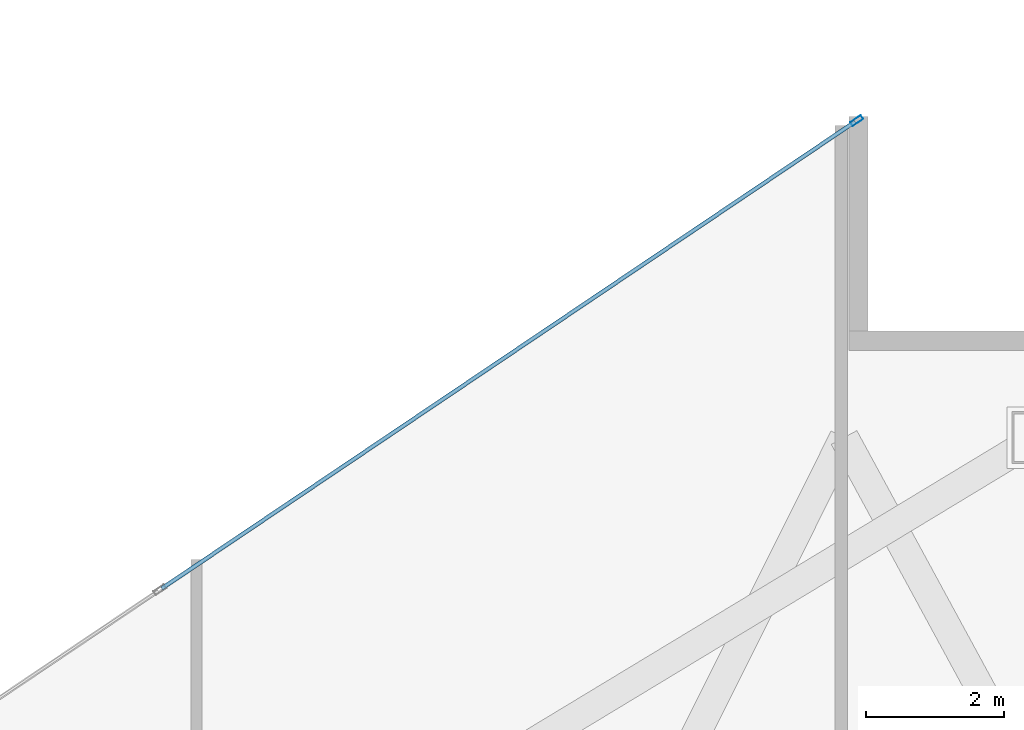
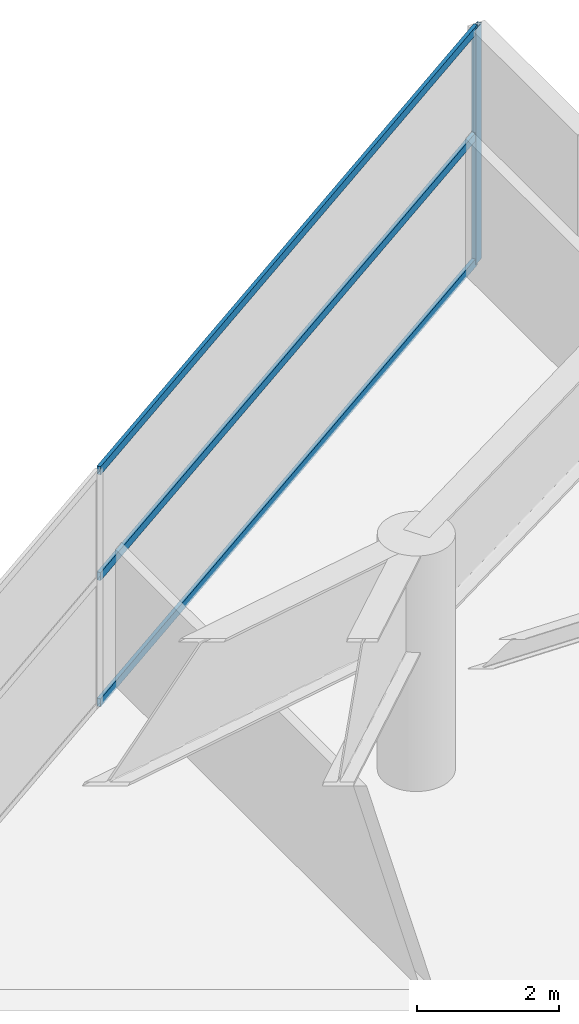
# One storey, part 22 of 30: 4 members, 1 element without a shape of its own.
"""IFC4 building model written with IfcOpenShell, lengths in metres."""

from ifc_helpers import new_model, si_unit, direction, frame, origin, origin_2d, place, context, subcontext, project, spatial, hollow_rectangle, extrude, material, layer, layer_set, material_profile, profile_set, type_object, element, aggregate, save


model = new_model("IFC4")

# Units and contexts
model_context = context("Model", 3, precision=1e-05, world=origin(), true_north=direction((0.0, 1.0)))
body_context = subcontext(model_context, "Body", "Model", "MODEL_VIEW")
ifc_project = project(units=[si_unit("LENGTHUNIT", "METRE"), si_unit("AREAUNIT", "SQUARE_METRE"), si_unit("VOLUMEUNIT", "CUBIC_METRE"), si_unit("PLANEANGLEUNIT", "RADIAN"), si_unit("MASSUNIT", "GRAM", prefix="KILO")], contexts=[model_context])

# Site, building, storey
site_placement = place(None, origin())
site = spatial("IfcSite", under=ifc_project, at=site_placement, CompositionType="ELEMENT")
building_placement = place(site_placement, origin())
building = spatial("IfcBuilding", under=site, at=building_placement, Name="Calvorn Quay Hotel", CompositionType="ELEMENT")
storey_placement = place(building_placement, frame((0.0, 0.0, 195.10009765625)))
storey = spatial("IfcBuildingStorey", under=building, at=storey_placement, Name="L48", CompositionType="ELEMENT", Elevation=195.10009765625)

# Curtain wall, members
ifc_material_1 = material(Name="Champagne Bronze Anodised Aluminium and Low-E Glass", Category="aluminium")
ifc_layer = layer(ifc_material_1, 0.219970703125)
ifc_layer_set = layer_set([ifc_layer], Name="CW-SYS-Z3")
curtain_wall_type = type_object("IfcCurtainWallType", Name="CW-SYS-Z3", PredefinedType="NOTDEFINED", material=ifc_layer_set)
curtain_wall_placement = place(storey_placement, origin())
curtain_wall = element("IfcCurtainWall", 1, at=curtain_wall_placement, inside=storey, type_object=curtain_wall_type, Name="Inner Court Curtain Wall L48-NE1", PredefinedType="NOTDEFINED")
ifc_material_2 = material(Name="Champagne Bronze Anodised Aluminium 6063-T6", Category="aluminium")
ifc_material_profile_1 = material_profile(ifc_material_2, hollow_rectangle(XDim=0.068115234375, YDim=0.18505859375, WallThickness=0.00390625, at=origin_2d()), Name="ALU-M185x68x4")
ifc_profile_set_1 = profile_set([ifc_material_profile_1], Name="Champagne Bronze Anodised Aluminium 6063-T6")
member_type_1 = type_object("IfcMemberType", Name="CW-SYS-Z3-MUL", PredefinedType="MULLION", material=ifc_profile_set_1)
member_1_placement = place(storey_placement, frame((41.775146484375, 37.983154296875, 0.0), z_axis=(0.0, 0.0, 1.0), x_axis=(0.558485062395, -0.82951457798, 0.0)))
member_1 = element("IfcMember", 2, at=member_1_placement, type_object=member_type_1, Name="CW-L48-NE1 mullion 1", PredefinedType="MULLION", context=body_context, shape_type="SweptSolid", body=[
    extrude(hollow_rectangle(XDim=0.068115234375, YDim=0.18505859375, WallThickness=0.00390625, at=origin_2d()), origin(), (0.0, 0.0, 1.0), 4.0498046875),
])
ifc_material_3 = material(Name="Champagne Bronze Anodised Aluminium 6063-T6", Category="aluminium")
ifc_material_profile_2 = material_profile(ifc_material_3, hollow_rectangle(XDim=0.05810546875, YDim=0.139892578125, WallThickness=0.003173828125, at=origin_2d()), Name="ALU-T140x58x3.2")
ifc_profile_set_2 = profile_set([ifc_material_profile_2], Name="Champagne Bronze Anodised Aluminium 6063-T6")
member_type_2 = type_object("IfcMemberType", Name="CW-SYS-Z3-TRN", PredefinedType="USERDEFINED", material=ifc_profile_set_2)
member_2_placement = place(storey_placement, frame((41.750244140625, 37.966552734375, 0.02978515625), z_axis=(-0.82951504126, -0.558484374287, 0.0), x_axis=(0.558484374287, -0.82951504126, 0.0)))
member_2 = element("IfcMember", 3, at=member_2_placement, type_object=member_type_2, Name="CW-L48-NE1 transom 1.1", ObjectType="TRANSOM", PredefinedType="USERDEFINED", context=body_context, shape_type="SweptSolid", body=[
    extrude(hollow_rectangle(XDim=0.05810546875, YDim=0.139892578125, WallThickness=0.003173828125, at=origin_2d()), origin(), (0.0, 0.0, 1.0), 12.0859375),
])
member_3_placement = place(storey_placement, frame((41.750244140625, 37.966552734375, 2.199951171875), z_axis=(-0.82951504126, -0.558484374287, 0.0), x_axis=(0.558484374287, -0.82951504126, 0.0)))
member_3 = element("IfcMember", 4, at=member_3_placement, type_object=member_type_2, Name="CW-L48-NE1 transom 1.2", ObjectType="TRANSOM", PredefinedType="USERDEFINED", context=body_context, shape_type="SweptSolid", body=[
    extrude(hollow_rectangle(XDim=0.05810546875, YDim=0.139892578125, WallThickness=0.003173828125, at=origin_2d()), origin(), (0.0, 0.0, 1.0), 12.0859375),
])
member_4_placement = place(storey_placement, frame((41.750244140625, 37.966552734375, 4.02001953125), z_axis=(-0.82951504126, -0.558484374287, 0.0), x_axis=(0.558484374287, -0.82951504126, 0.0)))
member_4 = element("IfcMember", 5, at=member_4_placement, type_object=member_type_2, Name="CW-L48-NE1 transom 1.3", ObjectType="TRANSOM", PredefinedType="USERDEFINED", context=body_context, shape_type="SweptSolid", body=[
    extrude(hollow_rectangle(XDim=0.05810546875, YDim=0.139892578125, WallThickness=0.003173828125, at=origin_2d()), origin(), (0.0, 0.0, 1.0), 12.0859375),
])
aggregate(curtain_wall, [member_1, member_2, member_3, member_4])

save(model, "model.ifc")
